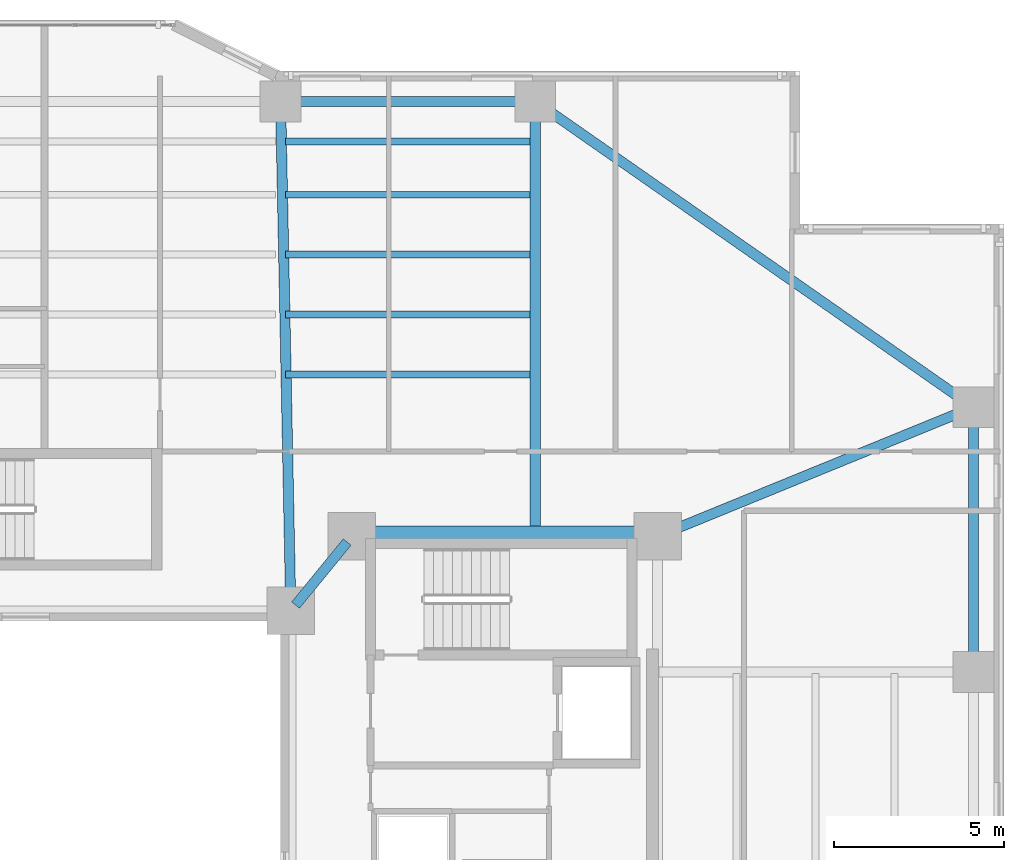
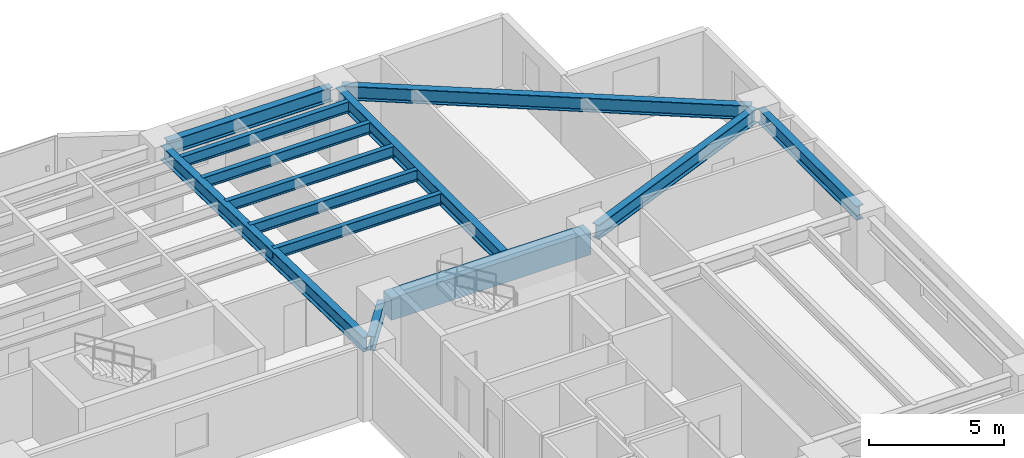
# One storey, part 7 of 19: 13 beams.
"""IFC4 building model written with IfcOpenShell, lengths in metres."""

from ifc_helpers import new_model, si_unit, direction, frame, origin, origin_2d, place, context, subcontext, project, spatial, rectangle, i_section, extrude, material, material_profile, profile_set, type_object, element, save


model = new_model("IFC4")

# Units and contexts
model_context = context("Model", 3, precision=1e-05, world=origin(), true_north=direction((0.0, 1.0)))
body_context = subcontext(model_context, "Body", "Model", "MODEL_VIEW")
ifc_project = project(units=[si_unit("LENGTHUNIT", "METRE"), si_unit("AREAUNIT", "SQUARE_METRE"), si_unit("VOLUMEUNIT", "CUBIC_METRE"), si_unit("PLANEANGLEUNIT", "RADIAN"), si_unit("MASSUNIT", "GRAM", prefix="KILO")], contexts=[model_context])

# Site, building, storey
site_placement = place(None, origin())
site = spatial("IfcSite", under=ifc_project, at=site_placement, CompositionType="ELEMENT")
building_placement = place(site_placement, origin())
building = spatial("IfcBuilding", under=site, at=building_placement, Name="Tarnavaz Court Tower", CompositionType="ELEMENT")
storey_placement = place(building_placement, frame((0.0, 0.0, 50.800048828125)))
storey = spatial("IfcBuildingStorey", under=building, at=storey_placement, Name="L13", CompositionType="ELEMENT", Elevation=50.800048828125)

# Beams
ifc_material_1 = material(Name="Concrete C60/75", Category="concrete")
ifc_material_profile_1 = material_profile(ifc_material_1, rectangle(XDim=0.60009765625, YDim=1.0, at=origin_2d()), Name="RC 600X1000")
ifc_profile_set_1 = profile_set([ifc_material_profile_1], Name="Concrete C60/75")
beam_type_1 = type_object("IfcBeamType", Name="BM-CB1000", PredefinedType="LINTEL", material=ifc_profile_set_1)
beam_1_placement = place(storey_placement, frame((18.3798828125, 10.0, 2.599853515625), z_axis=(-1.0, 0.0, 0.0), x_axis=(0.0, -1.0, 0.0)))
element("IfcBeam", 1, at=beam_1_placement, inside=storey, type_object=beam_type_1, Name="L13 Beam IN-CE-NO-CE-NI", PredefinedType="LINTEL", context=body_context, shape_type="SweptSolid", body=[
    extrude(rectangle(XDim=0.60009765625, YDim=1.0, at=origin_2d()), origin(), (0.0, 0.0, 1.0), 8.559814453125),
])
ifc_material_2 = material(Name="Steel S355", Category="steel")
ifc_material_profile_2 = material_profile(ifc_material_2, i_section(OverallWidth=0.300048828125, OverallDepth=0.64990234375, WebThickness=0.01611328125, FlangeThickness=0.031005859375, FilletRadius=0.027099609375, at=origin_2d()), Name="HEB 650")
ifc_profile_set_2 = profile_set([ifc_material_profile_2], Name="Steel S355")
beam_type_2 = type_object("IfcBeamType", Name="BM-G-HEB650", PredefinedType="USERDEFINED", material=ifc_profile_set_2)
beam_2_placement = place(storey_placement, frame((9.460693359375, 9.82958984375, 2.77490234375), z_axis=(-0.633282058357, -0.773921077735, 0.0), x_axis=(0.773921077735, -0.633282058357, 0.0)))
element("IfcBeam", 2, at=beam_2_placement, inside=storey, type_object=beam_type_2, Name="L13 Beam IN-CE-NI-IW-NE", ObjectType="GIRDER", PredefinedType="USERDEFINED", context=body_context, shape_type="SweptSolid", body=[
    extrude(i_section(OverallWidth=0.300048828125, OverallDepth=0.64990234375, WebThickness=0.01611328125, FlangeThickness=0.031005859375, FilletRadius=0.027099609375, at=origin_2d()), origin(), (0.0, 0.0, 1.0), 2.402587890625),
])
beam_3_placement = place(storey_placement, frame((7.795654296875, 8.02001953125, 2.77490234375), z_axis=(-0.020000023066, 0.999799979535, 0.0), x_axis=(-0.999799979535, -0.020000023066, 0.0)))
element("IfcBeam", 3, at=beam_3_placement, inside=storey, type_object=beam_type_2, Name="L13 Beam RG-03", ObjectType="GIRDER", PredefinedType="USERDEFINED", context=body_context, shape_type="SweptSolid", body=[
    extrude(i_section(OverallWidth=0.300048828125, OverallDepth=0.64990234375, WebThickness=0.01611328125, FlangeThickness=0.031005859375, FilletRadius=0.027099609375, at=origin_2d()), origin(), (0.0, 0.0, 1.0), 14.56298828125),
])
beam_4_placement = place(storey_placement, frame((15.0, 10.0400390625, 2.77490234375), z_axis=(0.0, 1.0, 0.0), x_axis=(-1.0, 0.0, 0.0)))
element("IfcBeam", 4, at=beam_4_placement, inside=storey, type_object=beam_type_2, Name="L13 Beam RG-04", ObjectType="GIRDER", PredefinedType="USERDEFINED", context=body_context, shape_type="SweptSolid", body=[
    extrude(i_section(OverallWidth=0.300048828125, OverallDepth=0.64990234375, WebThickness=0.01611328125, FlangeThickness=0.031005859375, FilletRadius=0.027099609375, at=origin_2d()), origin(), (0.0, 0.0, 1.0), 12.5400390625),
])
beam_5_placement = place(storey_placement, frame((18.8037109375, 10.083251953125, 2.77490234375), z_axis=(0.925704761705, 0.378246869329, 0.0), x_axis=(-0.378246869329, 0.925704761705, 0.0)))
element("IfcBeam", 5, at=beam_5_placement, inside=storey, type_object=beam_type_2, Name="L13 Beam RG-12", ObjectType="GIRDER", PredefinedType="USERDEFINED", context=body_context, shape_type="SweptSolid", body=[
    extrude(i_section(OverallWidth=0.300048828125, OverallDepth=0.64990234375, WebThickness=0.01611328125, FlangeThickness=0.031005859375, FilletRadius=0.027099609375, at=origin_2d()), origin(), (0.0, 0.0, 1.0), 9.606201171875),
])
ifc_material_profile_3 = material_profile(ifc_material_2, i_section(OverallWidth=0.199951171875, OverallDepth=0.5, WebThickness=0.01025390625, FlangeThickness=0.01611328125, FilletRadius=0.02099609375, at=origin_2d()), Name="IPE 500")
ifc_profile_set_3 = profile_set([ifc_material_profile_3], Name="Steel S355")
beam_type_3 = type_object("IfcBeamType", Name="BM-J-IPE500", PredefinedType="JOIST", material=ifc_profile_set_3)
for number, where, z_axis, x_axis, name in (
    (6, (7.64990234375, 14.763916015625, 2.849853515625), (1.0, 0.0, 0.0), (0.0, 1.0, 0.0), "L13 Beam JN1-3"),
    (7, (7.64990234375, 16.528076171875, 2.849853515625), (1.0, 0.0, 0.0), (0.0, 1.0, 0.0), "L13 Beam JN2-3"),
    (8, (7.64990234375, 18.2919921875, 2.849853515625), (1.0, 0.0, 0.0), (0.0, 1.0, 0.0), "L13 Beam JN3-3"),
    (9, (7.64990234375, 20.055908203125, 2.849853515625), (1.0, 0.0, 0.0), (0.0, 1.0, 0.0), "L13 Beam JN4-3"),
    (10, (7.64990234375, 21.6240234375, 2.849853515625), (1.0, 0.0, 0.0), (0.0, 1.0, 0.0), "L13 Beam JN5-3"),
):
    element("IfcBeam", number, at=place(storey_placement, frame(where, z_axis=z_axis, x_axis=x_axis)), inside=storey, type_object=beam_type_3, Name=name, PredefinedType="JOIST", context=body_context, shape_type="SweptSolid", body=[
        extrude(i_section(OverallWidth=0.199951171875, OverallDepth=0.5, WebThickness=0.01025390625, FlangeThickness=0.01611328125, FilletRadius=0.02099609375, at=origin_2d()), origin(), (0.0, 0.0, 1.0), 7.2001953125),
    ])
ifc_material_profile_4 = material_profile(ifc_material_2, i_section(OverallWidth=0.300048828125, OverallDepth=0.639892578125, WebThickness=0.013427734375, FlangeThickness=0.02587890625, FilletRadius=0.027099609375, at=origin_2d()), Name="HEA 650")
ifc_profile_set_4 = profile_set([ifc_material_profile_4], Name="Steel S355")
beam_type_4 = type_object("IfcBeamType", Name="BM-SP-HEA650", PredefinedType="SPANDREL", material=ifc_profile_set_4)
beam_6_placement = place(storey_placement, frame((7.719970703125, 22.800048828125, 2.780029296875), z_axis=(1.0, 0.0, 0.0), x_axis=(0.0, 1.0, 0.0)))
element("IfcBeam", 11, at=beam_6_placement, inside=storey, type_object=beam_type_4, Name="L13 Beam PR-PN-3-PN-4", PredefinedType="SPANDREL", context=body_context, shape_type="SweptSolid", body=[
    extrude(i_section(OverallWidth=0.300048828125, OverallDepth=0.639892578125, WebThickness=0.013427734375, FlangeThickness=0.02587890625, FilletRadius=0.027099609375, at=origin_2d()), origin(), (0.0, 0.0, 1.0), 7.06005859375),
])
beam_7_placement = place(storey_placement, frame((27.89990234375, 6.219970703125, 2.780029296875), z_axis=(0.0, 1.0, 0.0), x_axis=(-1.0, 0.0, 0.0)))
element("IfcBeam", 12, at=beam_7_placement, inside=storey, type_object=beam_type_4, Name="L13 Beam PR-PE-3-PE-4", PredefinedType="SPANDREL", context=body_context, shape_type="SweptSolid", body=[
    extrude(i_section(OverallWidth=0.300048828125, OverallDepth=0.639892578125, WebThickness=0.013427734375, FlangeThickness=0.02587890625, FilletRadius=0.027099609375, at=origin_2d()), origin(), (0.0, 0.0, 1.0), 7.360107421875),
])
beam_8_placement = place(storey_placement, frame((15.180419921875, 22.674072265625, 2.780029296875), z_axis=(0.820123643324, -0.572186341729, 0.0), x_axis=(0.572186341729, 0.820123643324, 0.0)))
element("IfcBeam", 13, at=beam_8_placement, inside=storey, type_object=beam_type_4, Name="L13 Beam PR-PN-4-PE-4", PredefinedType="SPANDREL", context=body_context, shape_type="SweptSolid", body=[
    extrude(i_section(OverallWidth=0.300048828125, OverallDepth=0.639892578125, WebThickness=0.013427734375, FlangeThickness=0.02587890625, FilletRadius=0.027099609375, at=origin_2d()), origin(), (0.0, 0.0, 1.0), 15.289306640625),
])

save(model, "model.ifc")
